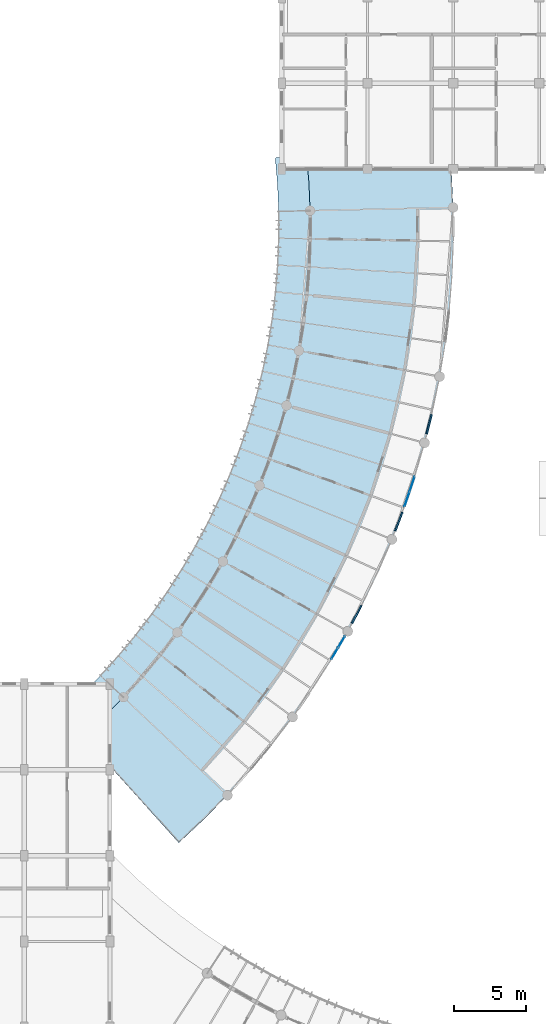
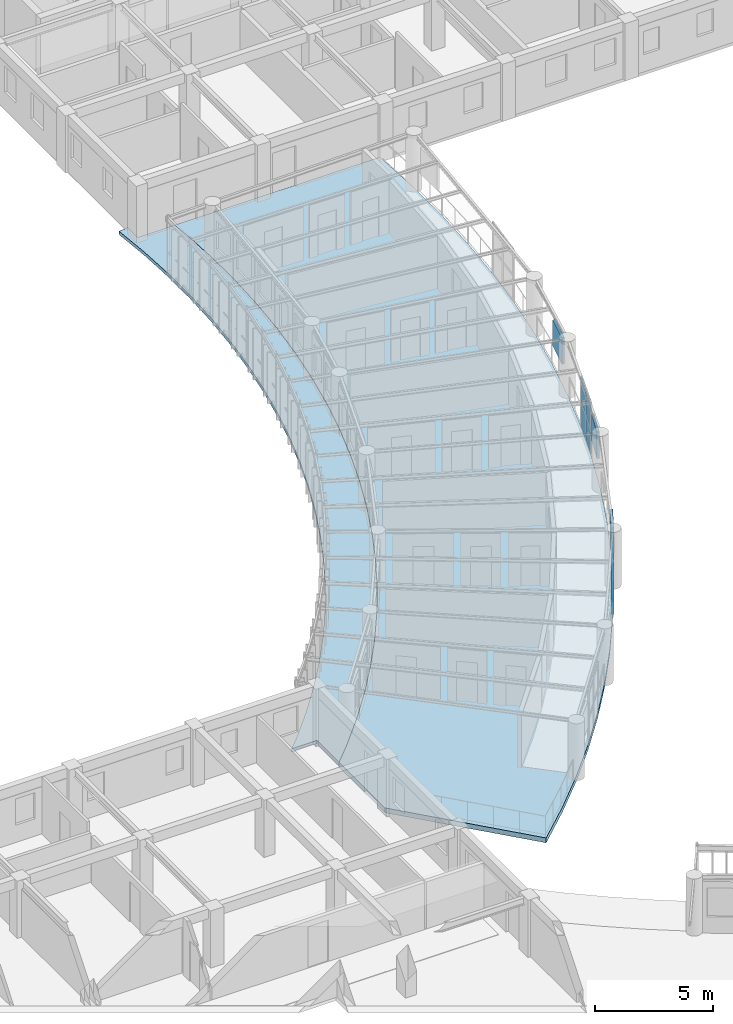
# One storey, part 44 of 100: 11 plates, 2 slabs, 2 elements without a shape of their own.
"""IFC4 building model written with IfcOpenShell, lengths in metres."""

from ifc_helpers import new_model, si_unit, direction, frame, origin, origin_2d, place, context, subcontext, project, spatial, polyline, rectangle, outline, extrude, material, layer, layer_set, type_object, element, aggregate, save


model = new_model("IFC4")

# Units and contexts
model_context = context("Model", 3, precision=1e-05, world=origin(), true_north=direction((0.0, 1.0)))
body_context = subcontext(model_context, "Body", "Model", "MODEL_VIEW")
ifc_project = project(units=[si_unit("LENGTHUNIT", "METRE"), si_unit("AREAUNIT", "SQUARE_METRE"), si_unit("VOLUMEUNIT", "CUBIC_METRE"), si_unit("PLANEANGLEUNIT", "RADIAN"), si_unit("MASSUNIT", "GRAM", prefix="KILO"), si_unit("POWERUNIT", "WATT"), si_unit("THERMODYNAMICTEMPERATUREUNIT", "KELVIN")], contexts=[model_context])

# Site, building, storey
site_placement = place(None, origin())
site = spatial("IfcSite", under=ifc_project, at=site_placement, CompositionType="ELEMENT")
building_placement = place(site_placement, origin())
building = spatial("IfcBuilding", under=site, at=building_placement, Name="Ruvembo Vaulted Housing Court", CompositionType="ELEMENT")
storey_placement = place(building_placement, frame((0.0, 0.0, 10.89990234375)))
storey = spatial("IfcBuildingStorey", under=building, at=storey_placement, Name="L03", CompositionType="ELEMENT", Elevation=10.89990234375)

# Curtain wall, plates
ifc_material_1 = material(Name="Anodised Aluminium and Solar-Control Glass", Category="aluminium")
ifc_layer_1 = layer(ifc_material_1, 0.1201171875, Name="Anodised Aluminium and Solar-Control Glass")
ifc_layer_set_1 = layer_set([ifc_layer_1], Name="Anodised Aluminium and Solar-Control Glass")
curtain_wall_type_1 = type_object("IfcCurtainWallType", Name="CW-SCOOP-GAL", PredefinedType="NOTDEFINED", material=ifc_layer_set_1)
curtain_wall_1_placement = place(storey_placement, origin())
curtain_wall_1 = element("IfcCurtainWall", 1, at=curtain_wall_1_placement, inside=storey, type_object=curtain_wall_type_1, Name="L03 Curtain Wall CW-L03-0018", PredefinedType="NOTDEFINED")
ifc_material_2 = material(Name="Solar-Control Laminated Insulating Glass", Category="glass")
ifc_layer_2 = layer(ifc_material_2, 0.035888671875, Name="Solar-Control Laminated Insulating Glass")
ifc_layer_set_2 = layer_set([ifc_layer_2], Name="Solar-Control Laminated Insulating Glass")
plate_type_1 = type_object("IfcPlateType", Name="CW-PANEL-ACOUST", PredefinedType="CURTAIN_PANEL", material=ifc_layer_set_2)
plate_1_placement = place(storey_placement, frame((51.7021484375, 44.1220703125, 0.06005859375), z_axis=(0.0, 0.0, 1.0), x_axis=(0.505876597392, 0.862605859133, 0.0)))
plate_1 = element("IfcPlate", 2, at=plate_1_placement, type_object=plate_type_1, Name="CW6 panel 1.1", PredefinedType="CURTAIN_PANEL", context=body_context, shape_type="SweptSolid", body=[
    extrude(rectangle(XDim=0.890869140625, YDim=0.035888671875, at=origin_2d()), origin(), (0.0, 0.0, 1.0), 1.259033203125),
])
plate_2_placement = place(storey_placement, frame((51.7021484375, 44.1220703125, 1.37890625), z_axis=(0.0, 0.0, 1.0), x_axis=(0.505876597392, 0.862605859133, 0.0)))
plate_2 = element("IfcPlate", 3, at=plate_2_placement, type_object=plate_type_1, Name="CW6 panel 1.2", PredefinedType="CURTAIN_PANEL", context=body_context, shape_type="SweptSolid", body=[
    extrude(rectangle(XDim=0.890869140625, YDim=0.035888671875, at=origin_2d()), origin(), (0.0, 0.0, 1.0), 1.259033203125),
])
plate_3_placement = place(storey_placement, frame((52.185546875, 44.946533203125, 0.06005859375), z_axis=(0.0, 0.0, 1.0), x_axis=(0.505876597392, 0.862605859133, 0.0)))
plate_3 = element("IfcPlate", 4, at=plate_3_placement, type_object=plate_type_1, Name="CW6 panel 2.1", PredefinedType="CURTAIN_PANEL", context=body_context, shape_type="SweptSolid", body=[
    extrude(rectangle(XDim=0.890869140625, YDim=0.035888671875, at=origin_2d()), origin(), (0.0, 0.0, 1.0), 1.259033203125),
])
plate_4_placement = place(storey_placement, frame((52.185546875, 44.946533203125, 1.37890625), z_axis=(0.0, 0.0, 1.0), x_axis=(0.505876597392, 0.862605859133, 0.0)))
plate_4 = element("IfcPlate", 5, at=plate_4_placement, type_object=plate_type_1, Name="CW6 panel 2.2", PredefinedType="CURTAIN_PANEL", context=body_context, shape_type="SweptSolid", body=[
    extrude(rectangle(XDim=0.890869140625, YDim=0.035888671875, at=origin_2d()), origin(), (0.0, 0.0, 1.0), 1.259033203125),
])
aggregate(curtain_wall_1, [plate_1, plate_2, plate_3, plate_4])

ifc_layer_3 = layer(ifc_material_1, 0.139892578125, Name="Anodised Aluminium and Solar-Control Glass")
ifc_layer_set_3 = layer_set([ifc_layer_3], Name="Anodised Aluminium and Solar-Control Glass")
curtain_wall_type_2 = type_object("IfcCurtainWallType", Name="CW-SCOOP-PAN", PredefinedType="NOTDEFINED", material=ifc_layer_set_3)
curtain_wall_2_placement = place(storey_placement, origin())
curtain_wall_2 = element("IfcCurtainWall", 6, at=curtain_wall_2_placement, inside=storey, type_object=curtain_wall_type_2, Name="L03 Curtain Wall CW-L03-0019", PredefinedType="NOTDEFINED")
ifc_layer_4 = layer(ifc_material_2, 0.031982421875, Name="Solar-Control Laminated Insulating Glass")
ifc_layer_set_4 = layer_set([ifc_layer_4], Name="Solar-Control Laminated Insulating Glass")
plate_type_2 = type_object("IfcPlateType", Name="CW-PANEL-SOLAR", PredefinedType="CURTAIN_PANEL", material=ifc_layer_set_4)
plate_5_placement = place(storey_placement, frame((56.764404296875, 54.927978515625, 0.065185546875), z_axis=(0.0, 0.0, 1.0), x_axis=(0.31983631808, 0.947472812083, 0.0)))
plate_5 = element("IfcPlate", 7, at=plate_5_placement, type_object=plate_type_2, Name="CW10 panel 1.1", PredefinedType="CURTAIN_PANEL", context=body_context, shape_type="SweptSolid", body=[
    extrude(rectangle(XDim=1.0556640625, YDim=0.031982421875, at=origin_2d()), origin(), (0.0, 0.0, 1.0), 1.25146484375),
])
plate_6_placement = place(storey_placement, frame((56.764404296875, 54.927978515625, 1.381591796875), z_axis=(0.0, 0.0, 1.0), x_axis=(0.31983631808, 0.947472812083, 0.0)))
plate_6 = element("IfcPlate", 8, at=plate_6_placement, type_object=plate_type_2, Name="CW10 panel 1.2", PredefinedType="CURTAIN_PANEL", context=body_context, shape_type="SweptSolid", body=[
    extrude(rectangle(XDim=1.0556640625, YDim=0.031982421875, at=origin_2d()), origin(), (0.0, 0.0, 1.0), 1.25146484375),
])
plate_7_placement = place(storey_placement, frame((57.119873046875, 55.98046875, 0.065185546875), z_axis=(0.0, 0.0, 1.0), x_axis=(0.31983631808, 0.947472812083, 0.0)))
plate_7 = element("IfcPlate", 9, at=plate_7_placement, type_object=plate_type_2, Name="CW10 panel 2.1", PredefinedType="CURTAIN_PANEL", context=body_context, shape_type="SweptSolid", body=[
    extrude(rectangle(XDim=1.0556640625, YDim=0.031982421875, at=origin_2d()), origin(), (0.0, 0.0, 1.0), 1.25146484375),
])
plate_8_placement = place(storey_placement, frame((57.119873046875, 55.98046875, 1.381591796875), z_axis=(0.0, 0.0, 1.0), x_axis=(0.31983631808, 0.947472812083, 0.0)))
plate_8 = element("IfcPlate", 10, at=plate_8_placement, type_object=plate_type_2, Name="CW10 panel 2.2", PredefinedType="CURTAIN_PANEL", context=body_context, shape_type="SweptSolid", body=[
    extrude(rectangle(XDim=1.0556640625, YDim=0.031982421875, at=origin_2d()), origin(), (0.0, 0.0, 1.0), 1.25146484375),
])
aggregate(curtain_wall_2, [plate_5, plate_6, plate_7, plate_8])

# Plates
ifc_material_3 = material(Name="Perforated Glazed Ceramic Cobogo Block", Category="ceramic")
ifc_layer_5 = layer(ifc_material_3, 0.1201171875, Name="Perforated Glazed Ceramic Cobogo Block")
ifc_layer_set_5 = layer_set([ifc_layer_5], Name="Perforated Glazed Ceramic Cobogo Block")
plate_type_3 = type_object("IfcPlateType", Name="PL-COBOGO-120", PredefinedType="USERDEFINED", material=ifc_layer_set_5)
for number, where, z_axis, x_axis, name in (
    (11, (53.25, 46.8701171875, 1.1201171875), (0.0, 0.0, 1.0), (0.470134075244, 0.882595009783, 0.0), "Scoop SC1 L03 Ceramic Cobogo Screen #15"),
    (12, (56.18994140625, 53.359130859375, 1.1201171875), (0.0, 0.0, 1.0), (0.358335361222, 0.93359293533, 0.0), "Scoop SC1 L03 Ceramic Cobogo Screen #16"),
    (13, (58.312255859375, 60.159912109375, 1.1201171875), (0.0, 0.0, 1.0), (0.241193628767, 0.970477013351, 0.0), "Scoop SC1 L03 Ceramic Cobogo Screen #17"),
):
    element("IfcPlate", number, at=place(storey_placement, frame(where, z_axis=z_axis, x_axis=x_axis)), inside=storey, type_object=plate_type_3, Name=name, ObjectType="COBOGO_PANEL", PredefinedType="USERDEFINED", context=body_context, shape_type="SweptSolid", body=[
        extrude(rectangle(XDim=1.39990234375, YDim=0.1201171875, at=origin_2d()), origin(), (0.0, 0.0, 1.0), 1.360107421875),
    ])

# Slabs
ifc_material_4 = material(Name="Concrete C35/45", Category="concrete")
ifc_layer_6 = layer(ifc_material_4, 0.172119140625, Name="Concrete C35/45")
ifc_layer_set_6 = layer_set([ifc_layer_6], Name="Concrete C35/45")
slab_type_1 = type_object("IfcSlabType", Name="SL-BAL-172", PredefinedType="FLOOR", material=ifc_layer_set_6)
slab_1_placement = place(storey_placement, frame((0.0, 0.0, -0.171875)))
element("IfcSlab", 14, at=slab_1_placement, inside=storey, type_object=slab_type_1, Name="Scoop SC1 L03 Continuous Curved Balcony Slab", PredefinedType="FLOOR", context=body_context, shape_type="SweptSolid", body=[
    extrude(outline(polyline([(34.753173828125, 42.0), (36.0, 42.0), (36.0, 40.13037109375), (36.9306640625, 41.078125), (38.25, 42.53662109375), (39.50830078125, 44.048095703125), (40.7041015625, 45.60986328125), (41.83447265625, 47.21923828125), (42.898193359375, 48.87353515625), (43.89306640625, 50.570068359375), (44.81787109375, 52.305908203125), (45.670654296875, 54.078125), (46.449951171875, 55.8837890625), (47.15478515625, 57.719970703125), (47.783935546875, 59.58349609375), (48.3359375, 61.47119140625), (48.810302734375, 63.3798828125), (49.206298828125, 65.306396484375), (49.522705078125, 67.24755859375), (49.759521484375, 69.199951171875), (49.916015625, 71.16064453125), (49.991943359375, 73.1259765625), (49.987548828125, 75.092529296875), (49.902587890625, 77.0576171875), (49.822998046875, 78.0), (48.0, 78.0), (48.0, 78.834716796875), (47.549072265625, 78.787353515625), (47.70703125, 76.91748046875), (47.7880859375, 75.04248046875), (47.79248046875, 73.166015625), (47.7197265625, 71.290771484375), (47.5703125, 69.419921875), (47.344482421875, 67.556884765625), (47.04248046875, 65.704833984375), (46.664794921875, 63.86669921875), (46.21240234375, 62.04541015625), (45.685546875, 60.244140625), (45.085205078125, 58.46630859375), (44.41259765625, 56.714111328125), (43.6689453125, 54.9912109375), (42.855224609375, 53.30029296875), (41.972900390625, 51.643798828125), (41.023681640625, 50.025146484375), (40.0087890625, 48.446533203125), (38.929931640625, 46.910888671875), (37.789306640625, 45.4208984375), (36.58837890625, 43.978759765625), (35.32958984375, 42.5869140625), (34.753173828125, 42.0)])), origin(), (0.0, 0.0, 1.0), 0.171875),
])
ifc_layer_7 = layer(ifc_material_4, 0.251953125, Name="Concrete C35/45")
ifc_layer_set_7 = layer_set([ifc_layer_7], Name="Concrete C35/45")
slab_type_2 = type_object("IfcSlabType", Name="SL-SCOOP-252", PredefinedType="FLOOR", material=ifc_layer_set_7)
slab_2_placement = place(storey_placement, frame((0.0, 0.0, -0.251953125)))
element("IfcSlab", 15, at=slab_2_placement, inside=storey, type_object=slab_type_2, Name="Scoop SC1 L03 Floor Slab", PredefinedType="FLOOR", context=body_context, shape_type="SweptSolid", body=[
    extrude(outline(polyline([(36.0, 40.13037109375), (36.0, 36.2392578125), (40.8095703125, 30.897705078125), (42.542724609375, 32.523681640625), (44.207763671875, 34.21923828125), (45.802001953125, 35.981689453125), (47.32275390625, 37.80810546875), (48.767333984375, 39.6953125), (50.13330078125, 41.639892578125), (51.418701171875, 43.638916015625), (52.620849609375, 45.688720703125), (53.73828125, 47.786376953125), (54.7685546875, 49.927734375), (55.71044921875, 52.109619140625), (56.56201171875, 54.328369140625), (57.322265625, 56.580078125), (57.989501953125, 58.861083984375), (58.5625, 61.16748046875), (59.040771484375, 63.495361328125), (59.423095703125, 65.8408203125), (59.709228515625, 68.199951171875), (59.8984375, 70.569091796875), (59.990478515625, 72.94384765625), (59.985107421875, 75.3203125), (59.882080078125, 77.694580078125), (59.8564453125, 78.0), (49.822998046875, 78.0), (49.902587890625, 77.0576171875), (49.987548828125, 75.092529296875), (49.991943359375, 73.1259765625), (49.916015625, 71.16064453125), (49.759521484375, 69.199951171875), (49.522705078125, 67.24755859375), (49.206298828125, 65.306396484375), (48.810302734375, 63.3798828125), (48.3359375, 61.47119140625), (47.783935546875, 59.58349609375), (47.15478515625, 57.719970703125), (46.449951171875, 55.8837890625), (45.670654296875, 54.078125), (44.81787109375, 52.305908203125), (43.89306640625, 50.570068359375), (42.898193359375, 48.87353515625), (41.83447265625, 47.21923828125), (40.7041015625, 45.60986328125), (39.50830078125, 44.048095703125), (38.25, 42.53662109375), (36.9306640625, 41.078125), (36.0, 40.13037109375)])), origin(), (0.0, 0.0, 1.0), 0.251953125),
])

save(model, "model.ifc")
